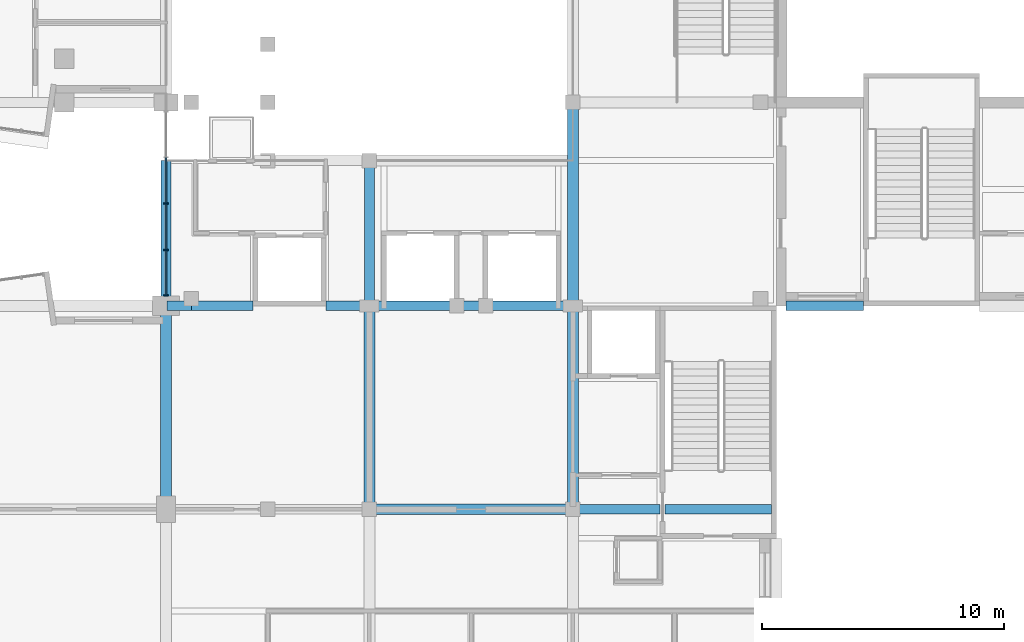
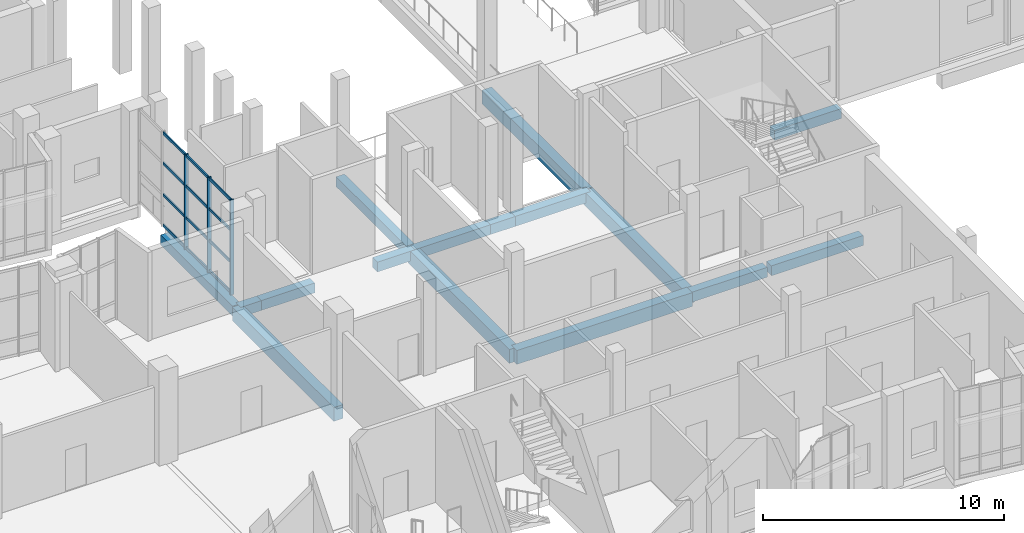
# One storey, part 6 of 91: 16 beams, 15 members, 1 element without a shape of its own.
"""IFC4 building model written with IfcOpenShell, lengths in metres."""

from ifc_helpers import new_model, si_unit, direction, frame, origin, origin_2d, place, context, subcontext, project, spatial, rectangle, extrude, material, layer, layer_set, material_profile, profile_set, type_object, element, aggregate, save


model = new_model("IFC4")

# Units and contexts
model_context = context("Model", 3, precision=1e-05, world=origin(), true_north=direction((0.0, 1.0)))
body_context = subcontext(model_context, "Body", "Model", "MODEL_VIEW")
ifc_project = project(units=[si_unit("LENGTHUNIT", "METRE"), si_unit("AREAUNIT", "SQUARE_METRE"), si_unit("VOLUMEUNIT", "CUBIC_METRE"), si_unit("PLANEANGLEUNIT", "RADIAN"), si_unit("MASSUNIT", "GRAM", prefix="KILO")], contexts=[model_context])

# Site, building, storey
site_placement = place(None, origin())
site = spatial("IfcSite", under=ifc_project, at=site_placement, CompositionType="ELEMENT")
building_placement = place(site_placement, origin())
building = spatial("IfcBuilding", under=site, at=building_placement, Name="Kiln Court Media Centre", CompositionType="ELEMENT")
storey_placement = place(building_placement, frame((0.0, 0.0, 5.39990234375)))
storey = spatial("IfcBuildingStorey", under=building, at=storey_placement, Name="L01", CompositionType="ELEMENT", Elevation=5.39990234375)

# Curtain wall, members
ifc_material_1 = material(Name="Aluminium 6063-T6", Category="aluminium")
ifc_layer = layer(ifc_material_1, 0.1201171875)
ifc_layer_set = layer_set([ifc_layer], Name="Aluminium stick curtain wall, gallery")
curtain_wall_type = type_object("IfcCurtainWallType", Name="Aluminium stick curtain wall, gallery", PredefinedType="USERDEFINED", material=ifc_layer_set)
curtain_wall_placement = place(storey_placement, origin())
curtain_wall = element("IfcCurtainWall", 1, at=curtain_wall_placement, inside=storey, type_object=curtain_wall_type, Name="Foyer west glazing L01", ObjectType="STICK CURTAIN WALL", PredefinedType="USERDEFINED")
ifc_material_2 = material(Name="Aluminium 6063-T6", Category="aluminium")
ifc_material_profile_1 = material_profile(ifc_material_2, rectangle(XDim=0.06005859375, YDim=0.179931640625, at=origin_2d()), Name="Aluminium hall mullion 60x180")
ifc_profile_set_1 = profile_set([ifc_material_profile_1], Name="Aluminium 6063-T6")
member_type_1 = type_object("IfcMemberType", Name="Aluminium hall mullion 60x180", PredefinedType="MULLION", material=ifc_profile_set_1)
member_1_placement = place(storey_placement, frame((33.60009765625, 25.6298828125, 0.0), z_axis=(0.0, 0.0, 1.0), x_axis=(0.0, 1.0, 0.0)))
member_1 = element("IfcMember", 2, at=member_1_placement, type_object=member_type_1, Name="CW1-62 mullion 1", PredefinedType="MULLION", context=body_context, shape_type="SweptSolid", body=[
    extrude(rectangle(XDim=0.06005859375, YDim=0.179931640625, at=origin_2d()), origin(), (0.0, 0.0, 1.0), 4.800048828125),
])
member_2_placement = place(storey_placement, frame((33.60009765625, 27.512451171875, 0.0), z_axis=(0.0, 0.0, 1.0), x_axis=(0.0, 1.0, 0.0)))
member_2 = element("IfcMember", 3, at=member_2_placement, type_object=member_type_1, Name="CW1-62 mullion 2", PredefinedType="MULLION", context=body_context, shape_type="SweptSolid", body=[
    extrude(rectangle(XDim=0.06005859375, YDim=0.179931640625, at=origin_2d()), origin(), (0.0, 0.0, 1.0), 4.800048828125),
])
member_3_placement = place(storey_placement, frame((33.60009765625, 29.425048828125, 0.0), z_axis=(0.0, 0.0, 1.0), x_axis=(0.0, 1.0, 0.0)))
member_3 = element("IfcMember", 4, at=member_3_placement, type_object=member_type_1, Name="CW1-62 mullion 3", PredefinedType="MULLION", context=body_context, shape_type="SweptSolid", body=[
    extrude(rectangle(XDim=0.06005859375, YDim=0.179931640625, at=origin_2d()), origin(), (0.0, 0.0, 1.0), 4.800048828125),
])
ifc_material_3 = material(Name="Aluminium 6063-T6", Category="aluminium")
ifc_material_profile_2 = material_profile(ifc_material_3, rectangle(XDim=0.06005859375, YDim=0.139892578125, at=origin_2d()), Name="Aluminium hall transom 60x140")
ifc_profile_set_2 = profile_set([ifc_material_profile_2], Name="Aluminium 6063-T6")
member_type_2 = type_object("IfcMemberType", Name="Aluminium hall transom 60x140", PredefinedType="USERDEFINED", material=ifc_profile_set_2)
member_4_placement = place(storey_placement, frame((33.60009765625, 25.659912109375, 0.070068359375), z_axis=(0.0, 1.0, 0.0), x_axis=(-1.0, 0.0, 0.0)))
member_4 = element("IfcMember", 5, at=member_4_placement, type_object=member_type_2, Name="CW1-62 transom 1.1", ObjectType="TRANSOM", PredefinedType="USERDEFINED", context=body_context, shape_type="SweptSolid", body=[
    extrude(rectangle(XDim=0.06005859375, YDim=0.139892578125, at=origin_2d()), origin(), (0.0, 0.0, 1.0), 1.822509765625),
])
member_5_placement = place(storey_placement, frame((33.60009765625, 25.659912109375, 1.60009765625), z_axis=(0.0, 1.0, 0.0), x_axis=(-1.0, 0.0, 0.0)))
member_5 = element("IfcMember", 6, at=member_5_placement, type_object=member_type_2, Name="CW1-62 transom 1.2", ObjectType="TRANSOM", PredefinedType="USERDEFINED", context=body_context, shape_type="SweptSolid", body=[
    extrude(rectangle(XDim=0.06005859375, YDim=0.139892578125, at=origin_2d()), origin(), (0.0, 0.0, 1.0), 1.822509765625),
])
member_6_placement = place(storey_placement, frame((33.60009765625, 25.659912109375, 3.2001953125), z_axis=(0.0, 1.0, 0.0), x_axis=(-1.0, 0.0, 0.0)))
member_6 = element("IfcMember", 7, at=member_6_placement, type_object=member_type_2, Name="CW1-62 transom 1.3", ObjectType="TRANSOM", PredefinedType="USERDEFINED", context=body_context, shape_type="SweptSolid", body=[
    extrude(rectangle(XDim=0.06005859375, YDim=0.139892578125, at=origin_2d()), origin(), (0.0, 0.0, 1.0), 1.822509765625),
])
member_7_placement = place(storey_placement, frame((33.60009765625, 25.659912109375, 4.72998046875), z_axis=(0.0, 1.0, 0.0), x_axis=(-1.0, 0.0, 0.0)))
member_7 = element("IfcMember", 8, at=member_7_placement, type_object=member_type_2, Name="CW1-62 transom 1.4", ObjectType="TRANSOM", PredefinedType="USERDEFINED", context=body_context, shape_type="SweptSolid", body=[
    extrude(rectangle(XDim=0.06005859375, YDim=0.139892578125, at=origin_2d()), origin(), (0.0, 0.0, 1.0), 1.822509765625),
])
member_8_placement = place(storey_placement, frame((33.60009765625, 27.54248046875, 0.070068359375), z_axis=(0.0, 1.0, 0.0), x_axis=(-1.0, 0.0, 0.0)))
member_8 = element("IfcMember", 9, at=member_8_placement, type_object=member_type_2, Name="CW1-62 transom 2.1", ObjectType="TRANSOM", PredefinedType="USERDEFINED", context=body_context, shape_type="SweptSolid", body=[
    extrude(rectangle(XDim=0.06005859375, YDim=0.139892578125, at=origin_2d()), origin(), (0.0, 0.0, 1.0), 1.8525390625),
])
member_9_placement = place(storey_placement, frame((33.60009765625, 27.54248046875, 1.60009765625), z_axis=(0.0, 1.0, 0.0), x_axis=(-1.0, 0.0, 0.0)))
member_9 = element("IfcMember", 10, at=member_9_placement, type_object=member_type_2, Name="CW1-62 transom 2.2", ObjectType="TRANSOM", PredefinedType="USERDEFINED", context=body_context, shape_type="SweptSolid", body=[
    extrude(rectangle(XDim=0.06005859375, YDim=0.139892578125, at=origin_2d()), origin(), (0.0, 0.0, 1.0), 1.8525390625),
])
member_10_placement = place(storey_placement, frame((33.60009765625, 27.54248046875, 3.2001953125), z_axis=(0.0, 1.0, 0.0), x_axis=(-1.0, 0.0, 0.0)))
member_10 = element("IfcMember", 11, at=member_10_placement, type_object=member_type_2, Name="CW1-62 transom 2.3", ObjectType="TRANSOM", PredefinedType="USERDEFINED", context=body_context, shape_type="SweptSolid", body=[
    extrude(rectangle(XDim=0.06005859375, YDim=0.139892578125, at=origin_2d()), origin(), (0.0, 0.0, 1.0), 1.8525390625),
])
member_11_placement = place(storey_placement, frame((33.60009765625, 27.54248046875, 4.72998046875), z_axis=(0.0, 1.0, 0.0), x_axis=(-1.0, 0.0, 0.0)))
member_11 = element("IfcMember", 12, at=member_11_placement, type_object=member_type_2, Name="CW1-62 transom 2.4", ObjectType="TRANSOM", PredefinedType="USERDEFINED", context=body_context, shape_type="SweptSolid", body=[
    extrude(rectangle(XDim=0.06005859375, YDim=0.139892578125, at=origin_2d()), origin(), (0.0, 0.0, 1.0), 1.8525390625),
])
member_12_placement = place(storey_placement, frame((33.60009765625, 29.455078125, 0.070068359375), z_axis=(0.0, 1.0, 0.0), x_axis=(-1.0, 0.0, 0.0)))
member_12 = element("IfcMember", 13, at=member_12_placement, type_object=member_type_2, Name="CW1-62 transom 3.1", ObjectType="TRANSOM", PredefinedType="USERDEFINED", context=body_context, shape_type="SweptSolid", body=[
    extrude(rectangle(XDim=0.06005859375, YDim=0.139892578125, at=origin_2d()), origin(), (0.0, 0.0, 1.0), 1.8525390625),
])
member_13_placement = place(storey_placement, frame((33.60009765625, 29.455078125, 1.60009765625), z_axis=(0.0, 1.0, 0.0), x_axis=(-1.0, 0.0, 0.0)))
member_13 = element("IfcMember", 14, at=member_13_placement, type_object=member_type_2, Name="CW1-62 transom 3.2", ObjectType="TRANSOM", PredefinedType="USERDEFINED", context=body_context, shape_type="SweptSolid", body=[
    extrude(rectangle(XDim=0.06005859375, YDim=0.139892578125, at=origin_2d()), origin(), (0.0, 0.0, 1.0), 1.8525390625),
])
member_14_placement = place(storey_placement, frame((33.60009765625, 29.455078125, 3.2001953125), z_axis=(0.0, 1.0, 0.0), x_axis=(-1.0, 0.0, 0.0)))
member_14 = element("IfcMember", 15, at=member_14_placement, type_object=member_type_2, Name="CW1-62 transom 3.3", ObjectType="TRANSOM", PredefinedType="USERDEFINED", context=body_context, shape_type="SweptSolid", body=[
    extrude(rectangle(XDim=0.06005859375, YDim=0.139892578125, at=origin_2d()), origin(), (0.0, 0.0, 1.0), 1.8525390625),
])
member_15_placement = place(storey_placement, frame((33.60009765625, 29.455078125, 4.72998046875), z_axis=(0.0, 1.0, 0.0), x_axis=(-1.0, 0.0, 0.0)))
member_15 = element("IfcMember", 16, at=member_15_placement, type_object=member_type_2, Name="CW1-62 transom 3.4", ObjectType="TRANSOM", PredefinedType="USERDEFINED", context=body_context, shape_type="SweptSolid", body=[
    extrude(rectangle(XDim=0.06005859375, YDim=0.139892578125, at=origin_2d()), origin(), (0.0, 0.0, 1.0), 1.8525390625),
])
aggregate(curtain_wall, [member_1, member_2, member_3, member_4, member_5, member_6, member_7, member_8, member_9, member_10, member_11, member_12, member_13, member_14, member_15])

# Beams
ifc_material_4 = material(Name="Concrete C30/37", Category="concrete")
ifc_material_profile_3 = material_profile(ifc_material_4, rectangle(XDim=0.39990234375, YDim=0.5, at=origin_2d()), Name="RC 400x500")
ifc_profile_set_3 = profile_set([ifc_material_profile_3], Name="Concrete C30/37")
beam_type_1 = type_object("IfcBeamType", Name="Concrete C30/37 beam 400x500", PredefinedType="BEAM", material=ifc_profile_set_3)
beam_1_placement = place(storey_placement, frame((50.39990234375, 16.800048828125, -0.5498046875), z_axis=(1.0, 0.0, 0.0), x_axis=(0.0, 1.0, 0.0)))
element("IfcBeam", 17, at=beam_1_placement, inside=storey, type_object=beam_type_1, Name="L01-B-1045", PredefinedType="BEAM", context=body_context, shape_type="SweptSolid", body=[
    extrude(rectangle(XDim=0.39990234375, YDim=0.5, at=origin_2d()), origin(), (0.0, 0.0, 1.0), 3.60009765625),
])
beam_2_placement = place(storey_placement, frame((54.199951171875, 16.800048828125, -0.5498046875), z_axis=(1.0, 0.0, 0.0), x_axis=(0.0, 1.0, 0.0)))
element("IfcBeam", 18, at=beam_2_placement, inside=storey, type_object=beam_type_1, Name="L01-B-1046", PredefinedType="BEAM", context=body_context, shape_type="SweptSolid", body=[
    extrude(rectangle(XDim=0.39990234375, YDim=0.5, at=origin_2d()), origin(), (0.0, 0.0, 1.0), 4.400146484375),
])
beam_3_placement = place(storey_placement, frame((33.64990234375, 25.199951171875, -0.5498046875), z_axis=(1.0, 0.0, 0.0), x_axis=(0.0, 1.0, 0.0)))
element("IfcBeam", 19, at=beam_3_placement, inside=storey, type_object=beam_type_1, Name="L01-B-1047", PredefinedType="BEAM", context=body_context, shape_type="SweptSolid", body=[
    extrude(rectangle(XDim=0.39990234375, YDim=0.5, at=origin_2d()), origin(), (0.0, 0.0, 1.0), 1.0),
])
beam_4_placement = place(storey_placement, frame((34.64990234375, 25.199951171875, -0.5498046875), z_axis=(1.0, 0.0, 0.0), x_axis=(0.0, 1.0, 0.0)))
element("IfcBeam", 20, at=beam_4_placement, inside=storey, type_object=beam_type_1, Name="L01-B-1048", PredefinedType="BEAM", context=body_context, shape_type="SweptSolid", body=[
    extrude(rectangle(XDim=0.39990234375, YDim=0.5, at=origin_2d()), origin(), (0.0, 0.0, 1.0), 2.550048828125),
])
beam_5_placement = place(storey_placement, frame((40.199951171875, 25.199951171875, -0.5498046875), z_axis=(1.0, 0.0, 0.0), x_axis=(0.0, 1.0, 0.0)))
element("IfcBeam", 21, at=beam_5_placement, inside=storey, type_object=beam_type_1, Name="L01-B-1049", PredefinedType="BEAM", context=body_context, shape_type="SweptSolid", body=[
    extrude(rectangle(XDim=0.39990234375, YDim=0.5, at=origin_2d()), origin(), (0.0, 0.0, 1.0), 1.800048828125),
])
beam_6_placement = place(storey_placement, frame((42.0, 25.199951171875, -0.5498046875), z_axis=(1.0, 0.0, 0.0), x_axis=(0.0, 1.0, 0.0)))
element("IfcBeam", 22, at=beam_6_placement, inside=storey, type_object=beam_type_1, Name="L01-B-1050", PredefinedType="BEAM", context=body_context, shape_type="SweptSolid", body=[
    extrude(rectangle(XDim=0.39990234375, YDim=0.5, at=origin_2d()), origin(), (0.0, 0.0, 1.0), 3.59912109375),
])
beam_7_placement = place(storey_placement, frame((45.59912109375, 25.199951171875, -0.5498046875), z_axis=(1.0, 0.0, 0.0), x_axis=(0.0, 1.0, 0.0)))
element("IfcBeam", 23, at=beam_7_placement, inside=storey, type_object=beam_type_1, Name="L01-B-1051", PredefinedType="BEAM", context=body_context, shape_type="SweptSolid", body=[
    extrude(rectangle(XDim=0.39990234375, YDim=0.5, at=origin_2d()), origin(), (0.0, 0.0, 1.0), 1.201904296875),
])
beam_8_placement = place(storey_placement, frame((46.801025390625, 25.199951171875, -0.5498046875), z_axis=(1.0, 0.0, 0.0), x_axis=(0.0, 1.0, 0.0)))
element("IfcBeam", 24, at=beam_8_placement, inside=storey, type_object=beam_type_1, Name="L01-B-1052", PredefinedType="BEAM", context=body_context, shape_type="SweptSolid", body=[
    extrude(rectangle(XDim=0.39990234375, YDim=0.5, at=origin_2d()), origin(), (0.0, 0.0, 1.0), 3.598876953125),
])
for number, where, z_axis, x_axis, name in (
    (25, (33.60009765625, 25.25, -0.5498046875), (0.0, 1.0, 0.0), (-1.0, 0.0, 0.0), "L01-B-1073"),
    (26, (42.0, 25.25, -0.5498046875), (0.0, 1.0, 0.0), (-1.0, 0.0, 0.0), "L01-B-1074"),
):
    element("IfcBeam", number, at=place(storey_placement, frame(where, z_axis=z_axis, x_axis=x_axis)), inside=storey, type_object=beam_type_1, Name=name, PredefinedType="BEAM", context=body_context, shape_type="SweptSolid", body=[
        extrude(rectangle(XDim=0.39990234375, YDim=0.5, at=origin_2d()), origin(), (0.0, 0.0, 1.0), 5.950927734375),
    ])
beam_9_placement = place(storey_placement, frame((59.199951171875, 25.199951171875, -0.5498046875), z_axis=(1.0, 0.0, 0.0), x_axis=(0.0, 1.0, 0.0)))
element("IfcBeam", 27, at=beam_9_placement, inside=storey, type_object=beam_type_1, Name="L01-B-1091", PredefinedType="BEAM", context=body_context, shape_type="SweptSolid", body=[
    extrude(rectangle(XDim=0.39990234375, YDim=0.5, at=origin_2d()), origin(), (0.0, 0.0, 1.0), 3.199951171875),
])
ifc_material_5 = material(Name="Concrete C30/37", Category="concrete")
ifc_material_profile_4 = material_profile(ifc_material_5, rectangle(XDim=0.449951171875, YDim=0.699951171875, at=origin_2d()), Name="RC 450x700")
ifc_profile_set_4 = profile_set([ifc_material_profile_4], Name="Concrete C30/37")
beam_type_2 = type_object("IfcBeamType", Name="Concrete C30/37 beam 450x700", PredefinedType="BEAM", material=ifc_profile_set_4)
for number, where, z_axis, x_axis, name in (
    (28, (33.60009765625, 16.800048828125, -0.64990234375), (0.0, 1.0, 0.0), (-1.0, 0.0, 0.0), "L01-B-1010"),
    (29, (42.0, 16.800048828125, -0.64990234375), (0.0, 1.0, 0.0), (-1.0, 0.0, 0.0), "L01-B-1030"),
    (30, (50.39990234375, 16.800048828125, -0.64990234375), (0.0, 1.0, 0.0), (-1.0, 0.0, 0.0), "L01-B-1033"),
    (31, (42.0, 16.800048828125, -0.64990234375), (1.0, 0.0, 0.0), (0.0, 1.0, 0.0), "L01-B-1044"),
):
    element("IfcBeam", number, at=place(storey_placement, frame(where, z_axis=z_axis, x_axis=x_axis)), inside=storey, type_object=beam_type_2, Name=name, PredefinedType="BEAM", context=body_context, shape_type="SweptSolid", body=[
        extrude(rectangle(XDim=0.449951171875, YDim=0.699951171875, at=origin_2d()), origin(), (0.0, 0.0, 1.0), 8.39990234375),
    ])
beam_10_placement = place(storey_placement, frame((50.39990234375, 25.25, -0.64990234375), z_axis=(0.0, 1.0, 0.0), x_axis=(-1.0, 0.0, 0.0)))
element("IfcBeam", 32, at=beam_10_placement, inside=storey, type_object=beam_type_2, Name="L01-B-1075", PredefinedType="BEAM", context=body_context, shape_type="SweptSolid", body=[
    extrude(rectangle(XDim=0.449951171875, YDim=0.699951171875, at=origin_2d()), origin(), (0.0, 0.0, 1.0), 8.35009765625),
])

save(model, "model.ifc")
